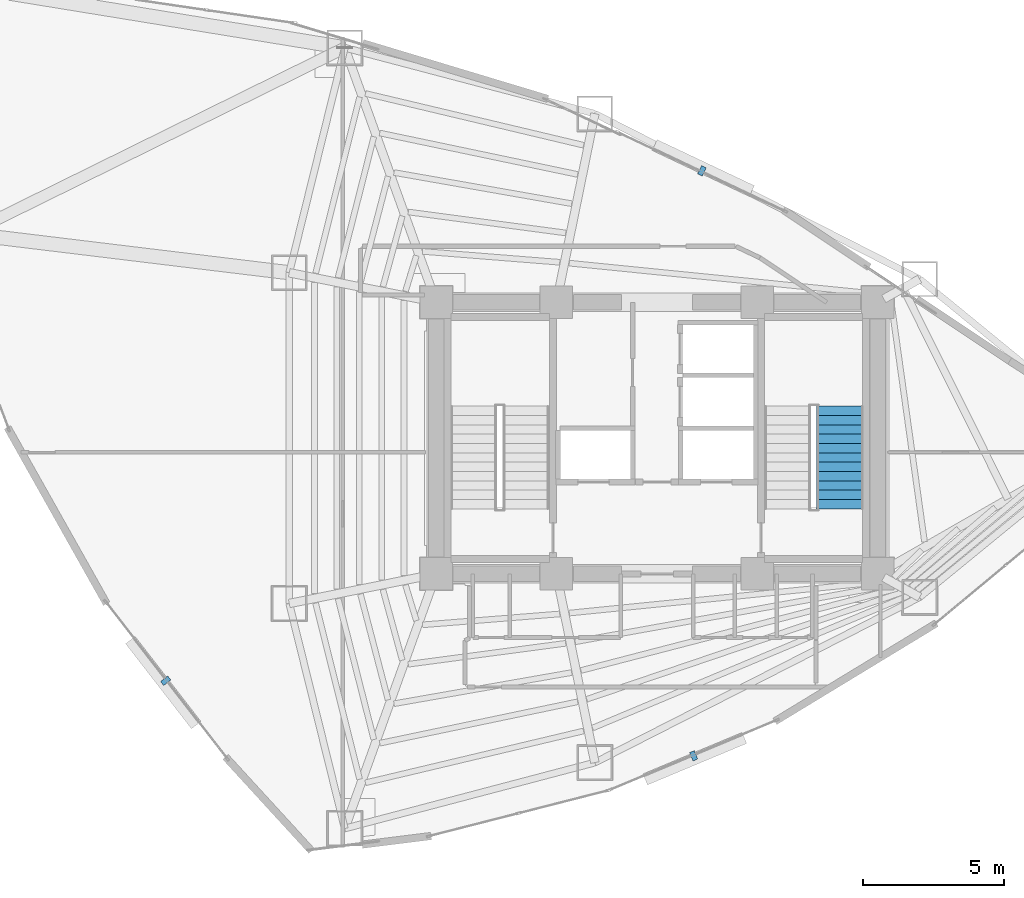
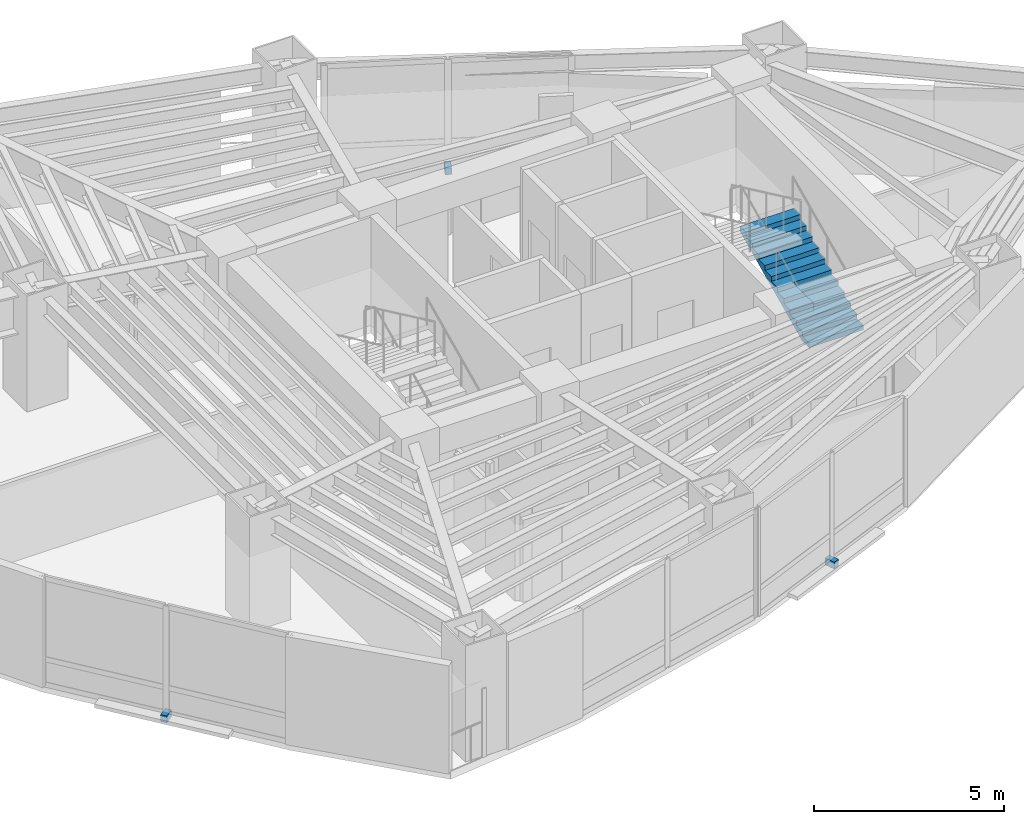
# One storey, part 21 of 23: 3 discrete accessories, 1 stair flight, 1 element without a shape of its own.
"""IFC4 building model written with IfcOpenShell, lengths in metres."""

import ifcopenshell
import ifcopenshell.guid

model = None  # the IFC model being written
_history = None  # IfcOwnerHistory: only IFC2X3 demands one
_inside = {}  # id of a spatial element -> (the spatial element, [elements in it])
_under = {}  # id of a project, library or spatial element -> (it, [spatial elements below it])
_declared = {}  # id of a project -> (the project, [libraries it declares])
_typed = {}  # id of a type object -> (the type object, [elements of that type])
_made_of = {}  # id of a material, layer set ... -> (it, [elements and type objects made of it])


def new_model(schema):
    """Start an empty IFC model of exactly this schema.

    Asked for "IFC4X3", IfcOpenShell would pick the latest addendum, in which some entities
    have other attributes; the version numbers below select the first issue.
    IFC2X3 requires an IfcOwnerHistory on every rooted entity: one is made here for all.
    """
    global model, _history
    if schema == "IFC4X3":
        model = ifcopenshell.file(schema_version=(4, 3, 0, 0))
    else:
        model = ifcopenshell.file(schema=schema)
    _inside.clear()
    _under.clear()
    _declared.clear()
    _typed.clear()
    _made_of.clear()
    _history = None
    if model.schema == "IFC2X3":
        org = make("IfcOrganization", Name="unknown")
        user = make(
            "IfcPersonAndOrganization",
            ThePerson=make("IfcPerson", FamilyName="unknown"),
            TheOrganization=org,
        )
        app = make(
            "IfcApplication",
            ApplicationDeveloper=org,
            Version="unknown",
            ApplicationFullName="unknown",
            ApplicationIdentifier="unknown",
        )
        _history = make(
            "IfcOwnerHistory",
            OwningUser=user,
            OwningApplication=app,
            ChangeAction="ADDED",
            CreationDate=0,
        )
    return model


def make(cls, **values):
    """One entity of the class cls with the attributes given. An attribute that is None is left unset."""
    return model.create_entity(
        cls, **{name: value for name, value in values.items() if value is not None}
    )


def rooted(cls, **values):
    """An entity with a GlobalId (a new one), such as an element, a storey or a relation."""
    return make(cls, GlobalId=ifcopenshell.guid.new(), OwnerHistory=_history, **values)


def si_unit(unit_type, name, prefix=None):
    """IfcSIUnit, for example si_unit("LENGTHUNIT", "METRE", prefix="MILLI")."""
    return make("IfcSIUnit", UnitType=unit_type, Prefix=prefix, Name=name)


def assignment(units):
    """IfcUnitAssignment: the units of a project."""
    return None if units is None else make("IfcUnitAssignment", Units=units)


def point(xyz):
    """IfcCartesianPoint."""
    return None if xyz is None else make("IfcCartesianPoint", Coordinates=xyz)


def direction(xyz):
    """IfcDirection."""
    return None if xyz is None else make("IfcDirection", DirectionRatios=xyz)


def frame(location, z_axis=None, x_axis=None):
    """IfcAxis2Placement3D, a coordinate frame: its origin and axes. An axis left out is left unset."""
    return make(
        "IfcAxis2Placement3D",
        Location=point(location),
        Axis=direction(z_axis),
        RefDirection=direction(x_axis),
    )


def frame_2d(location, x_axis=None):
    """IfcAxis2Placement2D, a coordinate frame in the plane: its origin and x axis."""
    return make(
        "IfcAxis2Placement2D", Location=point(location), RefDirection=direction(x_axis)
    )


def origin():
    """The frame at (0, 0, 0) with its axes left unset."""
    return frame((0.0, 0.0, 0.0))


def origin_2d():
    """The frame at (0, 0) in the plane with its x axis left unset."""
    return frame_2d((0.0, 0.0))


def place(relative_to, where):
    """IfcLocalPlacement: puts the frame where relative to a parent placement (None: the world)."""
    return make(
        "IfcLocalPlacement", PlacementRelTo=relative_to, RelativePlacement=where
    )


def context(
    kind, dimensions, precision=None, world=None, true_north=None, identifier=None
):
    """IfcGeometricRepresentationContext, for example the 3D "Model" context."""
    return make(
        "IfcGeometricRepresentationContext",
        ContextIdentifier=identifier,
        ContextType=kind,
        CoordinateSpaceDimension=dimensions,
        Precision=precision,
        WorldCoordinateSystem=world,
        TrueNorth=true_north,
    )


def subcontext(parent, identifier, kind, view, scale=None):
    """IfcGeometricRepresentationSubContext, for example "Body" below "Model"."""
    return make(
        "IfcGeometricRepresentationSubContext",
        ContextIdentifier=identifier,
        ContextType=kind,
        ParentContext=parent,
        TargetScale=scale,
        TargetView=view,
    )


def project(units=None, contexts=None):
    """IfcProject with its units and contexts."""
    return rooted(
        "IfcProject",
        Name="project",
        RepresentationContexts=contexts,
        UnitsInContext=assignment(units),
    )


def spatial(cls, under=None, at=None, **own):
    """A site, building, storey or space (cls), placed at a placement, below another one or the project."""
    s = rooted(cls, ObjectPlacement=at, **own)
    if under is not None:
        _under.setdefault(under.id(), (under, []))[1].append(s)
    return s


def polyline(points):
    """IfcPolyline through the points."""
    return make("IfcPolyline", Points=[point(p) for p in points])


def profile(cls, at=None, kind="AREA", **sizes):
    """A parametric profile (cls). Its sizes go by their IFC names, for example OverallWidth=200.0."""
    return make(cls, ProfileType=kind, Position=at, **sizes)


def rectangle(**sizes):
    """IfcRectangleProfileDef."""
    return profile("IfcRectangleProfileDef", **sizes)


def outline(outer, holes=None, kind="AREA"):
    """IfcArbitraryClosedProfileDef: a profile drawn as a closed curve; with holes, ...WithVoids."""
    if holes is None:
        return make("IfcArbitraryClosedProfileDef", ProfileType=kind, OuterCurve=outer)
    return make(
        "IfcArbitraryProfileDefWithVoids",
        ProfileType=kind,
        OuterCurve=outer,
        InnerCurves=holes,
    )


def extrude(swept, where, along, depth):
    """IfcExtrudedAreaSolid: the profile swept, set in the frame where, extruded along a direction by depth."""
    return make(
        "IfcExtrudedAreaSolid",
        SweptArea=swept,
        Position=where,
        ExtrudedDirection=direction(along),
        Depth=depth,
    )


def shape(context_of_items, identifier, shape_type, items):
    """IfcShapeRepresentation: the items that make up one representation, for example the "Body"."""
    return make(
        "IfcShapeRepresentation",
        ContextOfItems=context_of_items,
        RepresentationIdentifier=identifier,
        RepresentationType=shape_type,
        Items=items,
    )


def material(Name=None, Category=None):
    """IfcMaterial."""
    return make("IfcMaterial", Name=Name, Category=Category)


def made_of(thing, what):
    """Note that an element or type object is made of a material, layer set ...; save() writes the relation."""
    if what is not None:
        _made_of.setdefault(what.id(), (what, []))[1].append(thing)
    return thing


def type_object(cls, material=None, **own):
    """A type object (cls), such as IfcWallType, which elements share."""
    return made_of(rooted(cls, **own), material)


def element(
    cls,
    number,
    at=None,
    inside=None,
    cuts=None,
    type_object=None,
    material=None,
    context=None,
    identifier="Body",
    shape_type=None,
    held_by="IfcProductDefinitionShape",
    body=None,
    shapes=None,
    **own,
):
    """One element of the class cls, such as IfcWall. Its Tag is "e" and its number.

    at: its placement. inside: the storey or other place that contains it. cuts: it is an
    opening in that element (IfcRelVoidsElement). A single representation is given by context,
    identifier, shape_type and body (its items); several are given by shapes. held_by: the class
    of the entity that holds the representations. save() writes the other relations.
    """
    e = rooted(cls, Tag="e%d" % number, ObjectPlacement=at, **own)
    if body is not None:
        shapes = [shape(context, identifier, shape_type, body)]
    if shapes is not None:
        e.Representation = make(held_by, Representations=shapes)
    if inside is not None:
        _inside.setdefault(inside.id(), (inside, []))[1].append(e)
    if cuts is not None:
        rooted(
            "IfcRelVoidsElement", RelatingBuildingElement=cuts, RelatedOpeningElement=e
        )
    if type_object is not None:
        _typed.setdefault(type_object.id(), (type_object, []))[1].append(e)
    return made_of(e, material)


def aggregate(whole, parts):
    """IfcRelAggregates: a whole, such as a stair, and the parts it consists of."""
    return rooted("IfcRelAggregates", RelatingObject=whole, RelatedObjects=parts)


def save(model, path):
    """Write the relations noted so far, then the file.

    IfcRelAggregates (storeys below a building ...), IfcRelContainedInSpatialStructure (elements
    in a storey), IfcRelDefinesByType, IfcRelAssociatesMaterial and IfcRelDeclares: one each for
    every whole, place, type object, material and project.
    """
    for whole, parts in _under.values():
        aggregate(whole, parts)
    for where, things in _inside.values():
        rooted(
            "IfcRelContainedInSpatialStructure",
            RelatedElements=things,
            RelatingStructure=where,
        )
    for kind, things in _typed.values():
        rooted("IfcRelDefinesByType", RelatedObjects=things, RelatingType=kind)
    for what, things in _made_of.values():
        rooted("IfcRelAssociatesMaterial", RelatedObjects=things, RelatingMaterial=what)
    for by, libraries in _declared.values():
        rooted("IfcRelDeclares", RelatingContext=by, RelatedDefinitions=libraries)
    model.write(path)


model = new_model("IFC4")

# Units and contexts
model_context = context("Model", 3, precision=1e-05, world=origin(), true_north=direction((0.0, 1.0)))
body_context = subcontext(model_context, "Body", "Model", "MODEL_VIEW")
ifc_project = project(units=[si_unit("LENGTHUNIT", "METRE"), si_unit("AREAUNIT", "SQUARE_METRE"), si_unit("VOLUMEUNIT", "CUBIC_METRE"), si_unit("PLANEANGLEUNIT", "RADIAN"), si_unit("MASSUNIT", "GRAM", prefix="KILO")], contexts=[model_context])

# Site, building, storey
site_placement = place(None, origin())
site = spatial("IfcSite", under=ifc_project, at=site_placement, CompositionType="ELEMENT")
building_placement = place(site_placement, origin())
building = spatial("IfcBuilding", under=site, at=building_placement, Name="Menara Vayukalpa", CompositionType="ELEMENT")
storey_placement = place(building_placement, frame((0.0, 0.0, 111.419921875)))
storey = spatial("IfcBuildingStorey", under=building, at=storey_placement, Name="L27", CompositionType="ELEMENT", Elevation=111.419921875)

# Stair, stair flight
ifc_material_1 = material(Name="Precast Concrete C40/50", Category="concrete")
stair_type = type_object("IfcStairType", Name="STR-T04", PredefinedType="DOUBLE_RETURN_STAIR", material=ifc_material_1)
stair_placement = place(storey_placement, origin())
stair = element("IfcStair", 1, at=stair_placement, inside=storey, type_object=stair_type, Name="L27 Core Exit Stair ST-2", PredefinedType="DOUBLE_RETURN_STAIR")
ifc_material_2 = material(Name="Precast Concrete C40/50", Category="concrete")
stair_flight_type = type_object("IfcStairFlightType", Name="STF-T04", PredefinedType="STRAIGHT", material=ifc_material_2)
stair_flight_placement = place(storey_placement, frame((32.074951171875, 19.5, 0.0), z_axis=(0.0, 0.0, 1.0), x_axis=(0.0, 1.0, 0.0)))
stair_flight = element("IfcStairFlight", 2, at=stair_flight_placement, type_object=stair_flight_type, Name="ST-2 flight 1", NumberOfRisers=12, NumberOfTreads=11, PredefinedType="STRAIGHT", RiserHeight=0.155, TreadLength=0.33, context=body_context, shape_type="SweptSolid", body=[
    extrude(outline(polyline([(0.0, 0.0), (0.0, 0.155029296875), (0.330078125, 0.155029296875), (0.330078125, 0.31005859375), (0.659912109375, 0.31005859375), (0.659912109375, 0.465087890625), (0.989990234375, 0.465087890625), (0.989990234375, 0.6201171875), (1.320068359375, 0.6201171875), (1.320068359375, 0.77490234375), (1.64990234375, 0.77490234375), (1.64990234375, 0.929931640625), (1.97998046875, 0.929931640625), (1.97998046875, 1.0849609375), (2.31005859375, 1.0849609375), (2.31005859375, 1.239990234375), (2.639892578125, 1.239990234375), (2.639892578125, 1.39501953125), (2.969970703125, 1.39501953125), (2.969970703125, 1.550048828125), (3.300048828125, 1.550048828125), (3.300048828125, 1.705078125), (3.6298828125, 1.705078125), (3.6298828125, 1.860107421875), (3.6298828125, 1.539306640625), (0.3525390625, 0.0), (0.0, 0.0)])), frame((0.0, 0.824951171875, 0.0), z_axis=(0.0, -1.0, 0.0), x_axis=(1.0, 0.0, 0.0)), (0.0, 0.0, 1.0), 1.64990234375),
])
aggregate(stair, [stair_flight])

# Discrete accessories
ifc_material_3 = material(Name="Stainless Steel 316 Sunshade Bracket", Category="steel")
discrete_accessory_type = type_object("IfcDiscreteAccessoryType", Name="ACC-BRK1", PredefinedType="BRACKET", material=ifc_material_3)
for number, where, z_axis, x_axis, name in (
    (3, (27.19189453125, 31.446533203125, -0.15966796875), (0.0, 0.0, 1.0), (-0.90383625926, 0.427878506643, 0.0), "L27 Terracotta Sunshade Bracket 05"),
    (4, (8.240234375, 13.425537109375, -0.15966796875), (0.0, 0.0, 1.0), (0.612189679389, -0.790710943677, 0.0), "L27 Terracotta Sunshade Bracket 13"),
    (5, (26.898193359375, 10.77099609375, -0.15966796875), (0.0, 0.0, 1.0), (0.922544824647, 0.385889940938, 0.0), "L27 Terracotta Sunshade Bracket 17"),
):
    element("IfcDiscreteAccessory", number, at=place(storey_placement, frame(where, z_axis=z_axis, x_axis=x_axis)), inside=storey, type_object=discrete_accessory_type, Name=name, PredefinedType="BRACKET", context=body_context, shape_type="SweptSolid", body=[
        extrude(rectangle(XDim=0.179931640625, YDim=0.320068359375, at=origin_2d()), origin(), (0.0, 0.0, 1.0), 0.219970703125),
    ])

save(model, "model.ifc")
